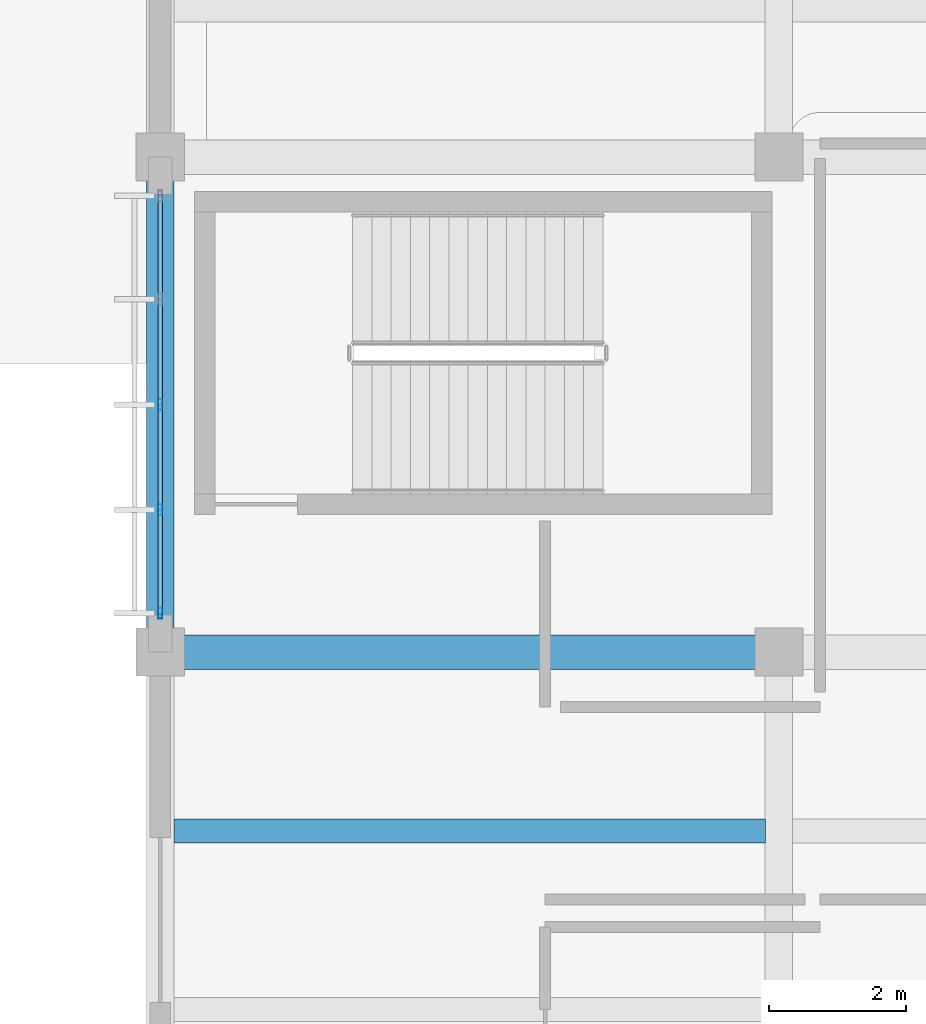
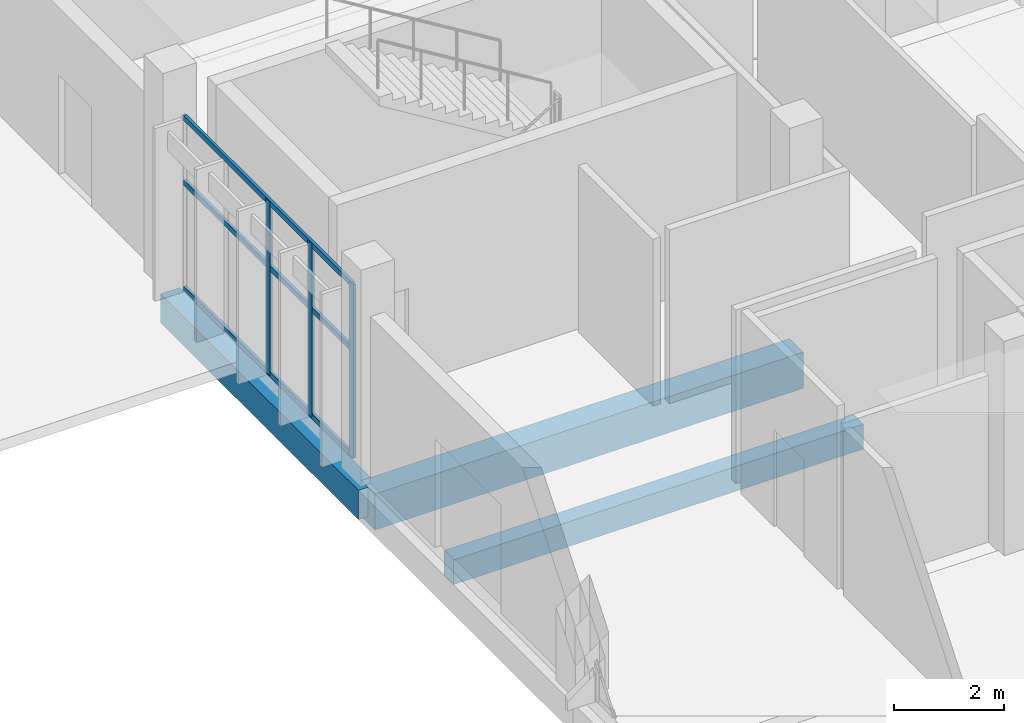
# One storey, part 77 of 151: 6 members, 3 beams, 1 element without a shape of its own.
"""IFC4 building model written with IfcOpenShell, lengths in metres."""

from ifc_helpers import new_model, si_unit, direction, frame, origin, origin_2d, place, context, subcontext, project, spatial, rectangle, hollow_rectangle, extrude, material, material_profile, profile_set, type_object, element, aggregate, save


model = new_model("IFC4")

# Units and contexts
model_context = context("Model", 3, precision=1e-05, world=origin(), true_north=direction((0.0, 1.0)))
body_context = subcontext(model_context, "Body", "Model", "MODEL_VIEW")
ifc_project = project(units=[si_unit("LENGTHUNIT", "METRE"), si_unit("AREAUNIT", "SQUARE_METRE"), si_unit("VOLUMEUNIT", "CUBIC_METRE"), si_unit("PLANEANGLEUNIT", "RADIAN"), si_unit("MASSUNIT", "GRAM", prefix="KILO")], contexts=[model_context])

# Site, building, storey
site_placement = place(None, origin())
site = spatial("IfcSite", under=ifc_project, at=site_placement, CompositionType="ELEMENT")
building_placement = place(site_placement, origin())
building = spatial("IfcBuilding", under=site, at=building_placement, Name="Chiffa Square Polytechnic", CompositionType="ELEMENT")
storey_placement = place(building_placement, origin())
storey = spatial("IfcBuildingStorey", under=building, at=storey_placement, Name="L00", CompositionType="ELEMENT", Elevation=0.0)

# Beams
ifc_material_1 = material(Name="Concrete C35/45", Category="concrete")
ifc_material_profile_1 = material_profile(ifc_material_1, rectangle(XDim=0.39990234375, YDim=0.64990234375, at=origin_2d()), Name="RC 400x650")
ifc_profile_set_1 = profile_set([ifc_material_profile_1], Name="Concrete C35/45")
beam_type_1 = type_object("IfcBeamType", Name="BM-RC-400X650", PredefinedType="BEAM", material=ifc_profile_set_1)
beam_1_placement = place(storey_placement, frame((148.199951171875, 43.800048828125, -0.675048828125), z_axis=(0.0, 1.0, 0.0), x_axis=(-1.0, 0.0, 0.0)))
element("IfcBeam", 1, at=beam_1_placement, inside=storey, type_object=beam_type_1, Name="Primary floor girder BM-V1-L00-Y-1482-0438", PredefinedType="BEAM", context=body_context, shape_type="SweptSolid", body=[
    extrude(rectangle(XDim=0.39990234375, YDim=0.64990234375, at=origin_2d()), origin(), (0.0, 0.0, 1.0), 7.199951171875),
])
ifc_material_2 = material(Name="Concrete C40/50", Category="concrete")
ifc_material_profile_2 = material_profile(ifc_material_2, rectangle(XDim=0.5, YDim=0.800048828125, at=origin_2d()), Name="RC 500x800")
ifc_profile_set_2 = profile_set([ifc_material_profile_2], Name="Concrete C40/50")
beam_type_2 = type_object("IfcBeamType", Name="BM-RC-500X800", PredefinedType="BEAM", material=ifc_profile_set_2)
beam_2_placement = place(storey_placement, frame((148.199951171875, 43.800048828125, -0.75), z_axis=(1.0, 0.0, 0.0), x_axis=(0.0, 1.0, 0.0)))
element("IfcBeam", 2, at=beam_2_placement, inside=storey, type_object=beam_type_2, Name="Primary floor girder BM-V1-L00-X-1482-0438", PredefinedType="BEAM", context=body_context, shape_type="SweptSolid", body=[
    extrude(rectangle(XDim=0.5, YDim=0.800048828125, at=origin_2d()), origin(), (0.0, 0.0, 1.0), 9.0),
])

# Curtain wall, members
ifc_material_3 = material(Name="Aluminium EN AW-6060 T66 and glulam shading", Category="wood")
curtain_wall_type = type_object("IfcCurtainWallType", Name="CW-VERT-360X380", PredefinedType="USERDEFINED", material=ifc_material_3)
curtain_wall_placement = place(storey_placement, origin())
curtain_wall = element("IfcCurtainWall", 3, at=curtain_wall_placement, inside=storey, type_object=curtain_wall_type, Name="Curtain wall CW-V1-L00-125", ObjectType="CURTAIN WALL", PredefinedType="USERDEFINED")
ifc_material_4 = material(Name="Aluminium EN AW-6060 T66", Category="aluminium")
ifc_material_profile_3 = material_profile(ifc_material_4, hollow_rectangle(XDim=0.06005859375, YDim=0.159912109375, WallThickness=0.00390625, at=origin_2d()), Name="ALU 60x160x4")
ifc_profile_set_3 = profile_set([ifc_material_profile_3], Name="Aluminium EN AW-6060 T66")
member_type_1 = type_object("IfcMemberType", Name="CWM-ALU-65X150", PredefinedType="MULLION", material=ifc_profile_set_3)
member_1_placement = place(storey_placement, frame((148.199951171875, 47.39990234375, 0.0), z_axis=(0.0, 0.0, 1.0), x_axis=(1.0, 0.0, 0.0)))
member_1 = element("IfcMember", 4, at=member_1_placement, type_object=member_type_1, Name="Curtain wall mullion CW-V1-L00-125-M02", PredefinedType="MULLION", context=body_context, shape_type="SweptSolid", body=[
    extrude(hollow_rectangle(XDim=0.06005859375, YDim=0.159912109375, WallThickness=0.00390625, at=origin_2d()), origin(), (0.0, 0.0, 1.0), 3.85498046875),
])
member_2_placement = place(storey_placement, frame((148.199951171875, 45.8701171875, 0.0), z_axis=(0.0, 0.0, 1.0), x_axis=(1.0, 0.0, 0.0)))
member_2 = element("IfcMember", 5, at=member_2_placement, type_object=member_type_1, Name="Curtain wall mullion CW-V1-L00-125-M03", PredefinedType="MULLION", context=body_context, shape_type="SweptSolid", body=[
    extrude(hollow_rectangle(XDim=0.06005859375, YDim=0.159912109375, WallThickness=0.00390625, at=origin_2d()), origin(), (0.0, 0.0, 1.0), 3.85498046875),
])
member_3_placement = place(storey_placement, frame((148.199951171875, 44.364990234375, 0.0), z_axis=(0.0, 0.0, 1.0), x_axis=(1.0, 0.0, 0.0)))
member_3 = element("IfcMember", 6, at=member_3_placement, type_object=member_type_1, Name="Curtain wall mullion CW-V1-L00-125-M04", PredefinedType="MULLION", context=body_context, shape_type="SweptSolid", body=[
    extrude(hollow_rectangle(XDim=0.06005859375, YDim=0.159912109375, WallThickness=0.00390625, at=origin_2d()), origin(), (0.0, 0.0, 1.0), 3.85498046875),
])
ifc_material_profile_4 = material_profile(ifc_material_4, hollow_rectangle(XDim=0.06005859375, YDim=0.1201171875, WallThickness=0.00390625, at=origin_2d()), Name="ALU 60x120x4")
ifc_profile_set_4 = profile_set([ifc_material_profile_4], Name="Aluminium EN AW-6060 T66")
member_type_2 = type_object("IfcMemberType", Name="CWT-ALU-65X120", PredefinedType="USERDEFINED", material=ifc_profile_set_4)
member_4_placement = place(storey_placement, frame((148.199951171875, 50.4619140625, 0.030029296875), z_axis=(0.0, -1.0, 0.0), x_axis=(1.0, 0.0, 0.0)))
member_4 = element("IfcMember", 7, at=member_4_placement, type_object=member_type_2, Name="Curtain wall transom CW-V1-L00-125-T01", ObjectType="TRANSOM", PredefinedType="USERDEFINED", context=body_context, shape_type="SweptSolid", body=[
    extrude(hollow_rectangle(XDim=0.06005859375, YDim=0.1201171875, WallThickness=0.00390625, at=origin_2d()), origin(), (0.0, 0.0, 1.0), 6.1240234375),
])
member_5_placement = place(storey_placement, frame((148.199951171875, 50.4619140625, 2.389892578125), z_axis=(0.0, -1.0, 0.0), x_axis=(1.0, 0.0, 0.0)))
member_5 = element("IfcMember", 8, at=member_5_placement, type_object=member_type_2, Name="Curtain wall transom CW-V1-L00-125-T02", ObjectType="TRANSOM", PredefinedType="USERDEFINED", context=body_context, shape_type="SweptSolid", body=[
    extrude(hollow_rectangle(XDim=0.06005859375, YDim=0.1201171875, WallThickness=0.00390625, at=origin_2d()), origin(), (0.0, 0.0, 1.0), 6.1240234375),
])
member_6_placement = place(storey_placement, frame((148.199951171875, 50.4619140625, 3.824951171875), z_axis=(0.0, -1.0, 0.0), x_axis=(1.0, 0.0, 0.0)))
member_6 = element("IfcMember", 9, at=member_6_placement, type_object=member_type_2, Name="Curtain wall transom CW-V1-L00-125-T03", ObjectType="TRANSOM", PredefinedType="USERDEFINED", context=body_context, shape_type="SweptSolid", body=[
    extrude(hollow_rectangle(XDim=0.06005859375, YDim=0.1201171875, WallThickness=0.00390625, at=origin_2d()), origin(), (0.0, 0.0, 1.0), 6.1240234375),
])
aggregate(curtain_wall, [member_1, member_2, member_3, member_4, member_5, member_6])

# Beam
ifc_material_profile_5 = material_profile(ifc_material_1, rectangle(XDim=0.35009765625, YDim=0.550048828125, at=origin_2d()), Name="RC 350x550")
ifc_profile_set_5 = profile_set([ifc_material_profile_5], Name="Concrete C35/45")
beam_type_3 = type_object("IfcBeamType", Name="JST-RC-350X550", PredefinedType="JOIST", material=ifc_profile_set_5)
beam_3_placement = place(storey_placement, frame((148.39794921875, 41.199951171875, -0.625), z_axis=(1.0, 0.0, 0.0), x_axis=(0.0, 1.0, 0.0)))
element("IfcBeam", 10, at=beam_3_placement, inside=storey, type_object=beam_type_3, Name="Secondary floor joist JST-V1-L00-1482-0412", PredefinedType="JOIST", context=body_context, shape_type="SweptSolid", body=[
    extrude(rectangle(XDim=0.35009765625, YDim=0.550048828125, at=origin_2d()), origin(), (0.0, 0.0, 1.0), 8.60400390625),
])

save(model, "model.ifc")
